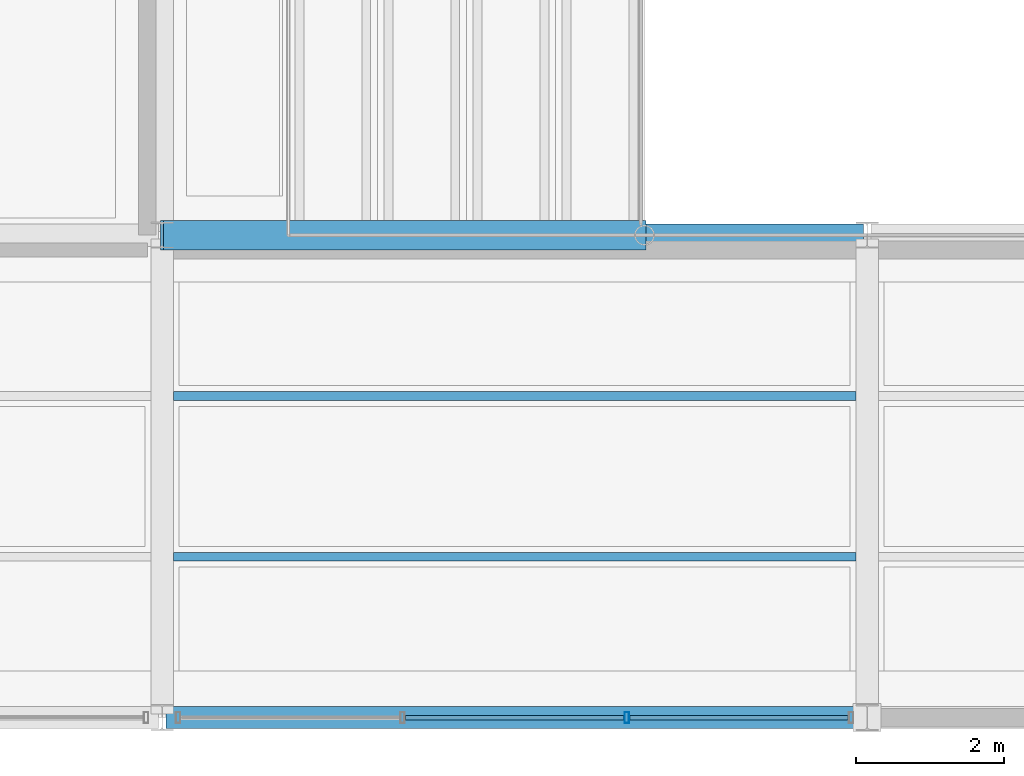
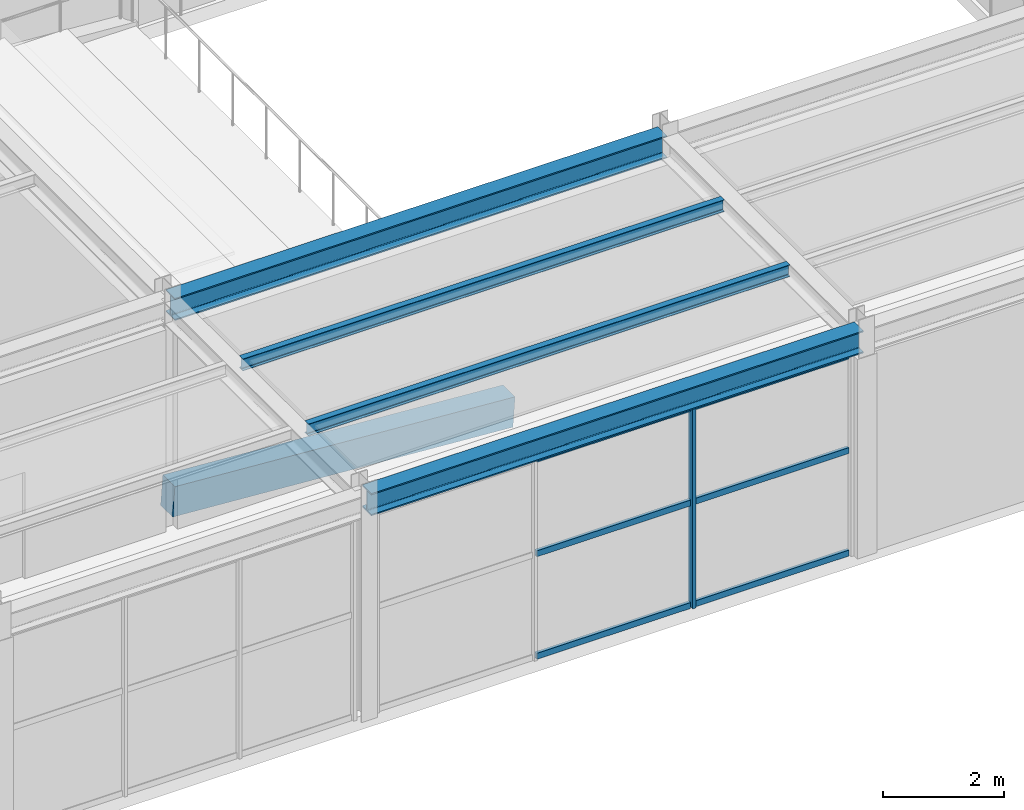
# One storey, part 14 of 100: 7 members, 5 beams, 1 element without a shape of its own.
"""IFC4 building model written with IfcOpenShell, lengths in metres."""

from ifc_helpers import new_model, si_unit, direction, frame, origin, origin_2d, place, context, subcontext, project, spatial, rectangle, hollow_rectangle, i_section, extrude, material, material_profile, profile_set, type_object, element, aggregate, save


model = new_model("IFC4")

# Units and contexts
model_context = context("Model", 3, precision=1e-05, world=origin(), true_north=direction((0.0, 1.0)))
body_context = subcontext(model_context, "Body", "Model", "MODEL_VIEW")
ifc_project = project(units=[si_unit("LENGTHUNIT", "METRE"), si_unit("AREAUNIT", "SQUARE_METRE"), si_unit("VOLUMEUNIT", "CUBIC_METRE"), si_unit("PLANEANGLEUNIT", "RADIAN"), si_unit("MASSUNIT", "GRAM", prefix="KILO")], contexts=[model_context])

# Site, building, storey
site_placement = place(None, origin())
site = spatial("IfcSite", under=ifc_project, at=site_placement, CompositionType="ELEMENT")
building_placement = place(site_placement, origin())
building = spatial("IfcBuilding", under=site, at=building_placement, Name="Tarnveldt Headland Concert Hall", CompositionType="ELEMENT")
storey_placement = place(building_placement, frame((0.0, 0.0, 4.800048828125)))
storey = spatial("IfcBuildingStorey", under=building, at=storey_placement, Name="L01", CompositionType="ELEMENT", Elevation=4.800048828125)

# Curtain wall, member
ifc_material_1 = material(Name="Marine-anodised aluminium EN AW-6063-T6", Category="aluminium")
curtain_wall_type = type_object("IfcCurtainWallType", Name="CW-L2", PredefinedType="NOTDEFINED", material=ifc_material_1)
curtain_wall_placement = place(storey_placement, origin())
curtain_wall = element("IfcCurtainWall", 1, at=curtain_wall_placement, inside=storey, type_object=curtain_wall_type, Name="Curtain wall CW-L01-166", PredefinedType="NOTDEFINED")
ifc_material_profile_1 = material_profile(ifc_material_1, hollow_rectangle(XDim=0.06005859375, YDim=0.14990234375, WallThickness=0.00390625, at=origin_2d()), Name="ALU MULLION 60x150x4", Category="aluminium")
ifc_profile_set_1 = profile_set([ifc_material_profile_1], Name="Marine-anodised aluminium EN AW-6063-T6")
member_type_1 = type_object("IfcMemberType", Name="ML-150", PredefinedType="MULLION", material=ifc_profile_set_1)
member_1_placement = place(storey_placement, frame((20.76171875, 5.0, 0.0), z_axis=(0.0, 0.0, 1.0), x_axis=(1.0, 0.0, 0.0)))
member_1 = element("IfcMember", 2, at=member_1_placement, type_object=member_type_1, Name="Mullion CW-L01-166-3", PredefinedType="MULLION", context=body_context, shape_type="SweptSolid", body=[
    extrude(hollow_rectangle(XDim=0.06005859375, YDim=0.14990234375, WallThickness=0.00390625, at=origin_2d()), origin(), (0.0, 0.0, 1.0), 4.077880859375),
])

# Beams
ifc_material_2 = material(Name="Concrete C40/50", Category="concrete")
ifc_material_profile_2 = material_profile(ifc_material_2, rectangle(XDim=0.39990234375, YDim=0.60009765625, at=origin_2d()), Name="RAKER RC 400x600", Category="concrete")
ifc_profile_set_2 = profile_set([ifc_material_profile_2], Name="Concrete C40/50")
beam_type_1 = type_object("IfcBeamType", Name="RK-400x600", PredefinedType="BEAM", material=ifc_profile_set_2)
beam_placement = place(storey_placement, frame((14.5, 11.5, 0.47998046875), z_axis=(0.997505647096, 0.0, -0.070586712708), x_axis=(0.0, 1.0, 0.0)))
element("IfcBeam", 3, at=beam_placement, inside=storey, type_object=beam_type_1, Name="Chamber balcony RAKER beam Y11.5", PredefinedType="BEAM", context=body_context, shape_type="SweptSolid", body=[
    extrude(rectangle(XDim=0.39990234375, YDim=0.60009765625, at=origin_2d()), origin(), (0.0, 0.0, 1.0), 6.516357421875),
])
ifc_material_3 = material(Name="Steel S355", Category="steel")
ifc_material_profile_3 = material_profile(ifc_material_3, i_section(OverallWidth=0.300048828125, OverallDepth=0.449951171875, WebThickness=0.013916015625, FlangeThickness=0.02587890625, FilletRadius=0.027099609375, at=origin_2d()), Name="HEB450", Category="steel")
ifc_profile_set_3 = profile_set([ifc_material_profile_3], Name="Steel S355")
beam_type_2 = type_object("IfcBeamType", Name="SB-HEB450", PredefinedType="BEAM", material=ifc_profile_set_3)
for number, where, z_axis, x_axis, name in (
    (4, (14.550048828125, 5.0, 4.31494140625), (1.0, 0.0, 0.0), (0.0, 1.0, 0.0), "Framing beam L01-864"),
    (5, (14.550048828125, 11.5, 4.31494140625), (1.0, 0.0, 0.0), (0.0, 1.0, 0.0), "Framing beam L01-869"),
):
    element("IfcBeam", number, at=place(storey_placement, frame(where, z_axis=z_axis, x_axis=x_axis)), inside=storey, type_object=beam_type_2, Name=name, PredefinedType="BEAM", context=body_context, shape_type="SweptSolid", body=[
        extrude(i_section(OverallWidth=0.300048828125, OverallDepth=0.449951171875, WebThickness=0.013916015625, FlangeThickness=0.02587890625, FilletRadius=0.027099609375, at=origin_2d()), origin(), (0.0, 0.0, 1.0), 9.39990234375),
    ])
ifc_material_profile_4 = material_profile(ifc_material_3, i_section(OverallWidth=0.1201171875, OverallDepth=0.239990234375, WebThickness=0.006103515625, FlangeThickness=0.009765625, FilletRadius=0.014892578125, at=origin_2d()), Name="IPE240", Category="steel")
ifc_profile_set_4 = profile_set([ifc_material_profile_4], Name="Steel S355")
beam_type_3 = type_object("IfcBeamType", Name="SB-IPE240", PredefinedType="JOIST", material=ifc_profile_set_4)
for number, where, z_axis, x_axis, name in (
    (6, (14.64990234375, 7.1669921875, 4.419921875), (1.0, 0.0, 0.0), (0.0, 1.0, 0.0), "Framing beam L01-890"),
    (7, (14.64990234375, 9.3330078125, 4.419921875), (1.0, 0.0, 0.0), (0.0, 1.0, 0.0), "Framing beam L01-891"),
):
    element("IfcBeam", number, at=place(storey_placement, frame(where, z_axis=z_axis, x_axis=x_axis)), inside=storey, type_object=beam_type_3, Name=name, PredefinedType="JOIST", context=body_context, shape_type="SweptSolid", body=[
        extrude(i_section(OverallWidth=0.1201171875, OverallDepth=0.239990234375, WebThickness=0.006103515625, FlangeThickness=0.009765625, FilletRadius=0.014892578125, at=origin_2d()), origin(), (0.0, 0.0, 1.0), 9.2001953125),
    ])

# Member
ifc_material_profile_5 = material_profile(ifc_material_1, hollow_rectangle(XDim=0.06005859375, YDim=0.1201171875, WallThickness=0.00390625, at=origin_2d()), Name="ALU TRANSOM 60x120x4", Category="aluminium")
ifc_profile_set_5 = profile_set([ifc_material_profile_5], Name="Marine-anodised aluminium EN AW-6063-T6")
member_type_2 = type_object("IfcMemberType", Name="TR-110", PredefinedType="MEMBER", material=ifc_profile_set_5)
member_2_placement = place(storey_placement, frame((17.7802734375, 5.0, 0.050048828125), z_axis=(1.0, 0.0, 0.0), x_axis=(0.0, 1.0, 0.0)))
member_2 = element("IfcMember", 8, at=member_2_placement, type_object=member_type_2, Name="Transom CW-L01-166-2-1", PredefinedType="MEMBER", context=body_context, shape_type="SweptSolid", body=[
    extrude(hollow_rectangle(XDim=0.06005859375, YDim=0.1201171875, WallThickness=0.00390625, at=origin_2d()), origin(), (0.0, 0.0, 1.0), 2.939453125),
])

member_3_placement = place(storey_placement, frame((17.7802734375, 5.0, 2.12060546875), z_axis=(1.0, 0.0, 0.0), x_axis=(0.0, 1.0, 0.0)))
member_3 = element("IfcMember", 9, at=member_3_placement, type_object=member_type_2, Name="Transom CW-L01-166-2-2", PredefinedType="MEMBER", context=body_context, shape_type="SweptSolid", body=[
    extrude(hollow_rectangle(XDim=0.06005859375, YDim=0.1201171875, WallThickness=0.00390625, at=origin_2d()), origin(), (0.0, 0.0, 1.0), 2.939453125),
])

member_4_placement = place(storey_placement, frame((17.7802734375, 5.0, 4.02783203125), z_axis=(1.0, 0.0, 0.0), x_axis=(0.0, 1.0, 0.0)))
member_4 = element("IfcMember", 10, at=member_4_placement, type_object=member_type_2, Name="Transom CW-L01-166-2-3", PredefinedType="MEMBER", context=body_context, shape_type="SweptSolid", body=[
    extrude(hollow_rectangle(XDim=0.06005859375, YDim=0.1201171875, WallThickness=0.00390625, at=origin_2d()), origin(), (0.0, 0.0, 1.0), 2.939453125),
])

member_5_placement = place(storey_placement, frame((20.8037109375, 5.0, 0.050048828125), z_axis=(1.0, 0.0, 0.0), x_axis=(0.0, 1.0, 0.0)))
member_5 = element("IfcMember", 11, at=member_5_placement, type_object=member_type_2, Name="Transom CW-L01-166-3-1", PredefinedType="MEMBER", context=body_context, shape_type="SweptSolid", body=[
    extrude(hollow_rectangle(XDim=0.06005859375, YDim=0.1201171875, WallThickness=0.00390625, at=origin_2d()), origin(), (0.0, 0.0, 1.0), 2.939208984375),
])

member_6_placement = place(storey_placement, frame((20.8037109375, 5.0, 2.12060546875), z_axis=(1.0, 0.0, 0.0), x_axis=(0.0, 1.0, 0.0)))
member_6 = element("IfcMember", 12, at=member_6_placement, type_object=member_type_2, Name="Transom CW-L01-166-3-2", PredefinedType="MEMBER", context=body_context, shape_type="SweptSolid", body=[
    extrude(hollow_rectangle(XDim=0.06005859375, YDim=0.1201171875, WallThickness=0.00390625, at=origin_2d()), origin(), (0.0, 0.0, 1.0), 2.939208984375),
])

member_7_placement = place(storey_placement, frame((20.8037109375, 5.0, 4.02783203125), z_axis=(1.0, 0.0, 0.0), x_axis=(0.0, 1.0, 0.0)))
member_7 = element("IfcMember", 13, at=member_7_placement, type_object=member_type_2, Name="Transom CW-L01-166-3-3", PredefinedType="MEMBER", context=body_context, shape_type="SweptSolid", body=[
    extrude(hollow_rectangle(XDim=0.06005859375, YDim=0.1201171875, WallThickness=0.00390625, at=origin_2d()), origin(), (0.0, 0.0, 1.0), 2.939208984375),
])

aggregate(curtain_wall, [member_1, member_2, member_3, member_4, member_5, member_6, member_7])

save(model, "model.ifc")
